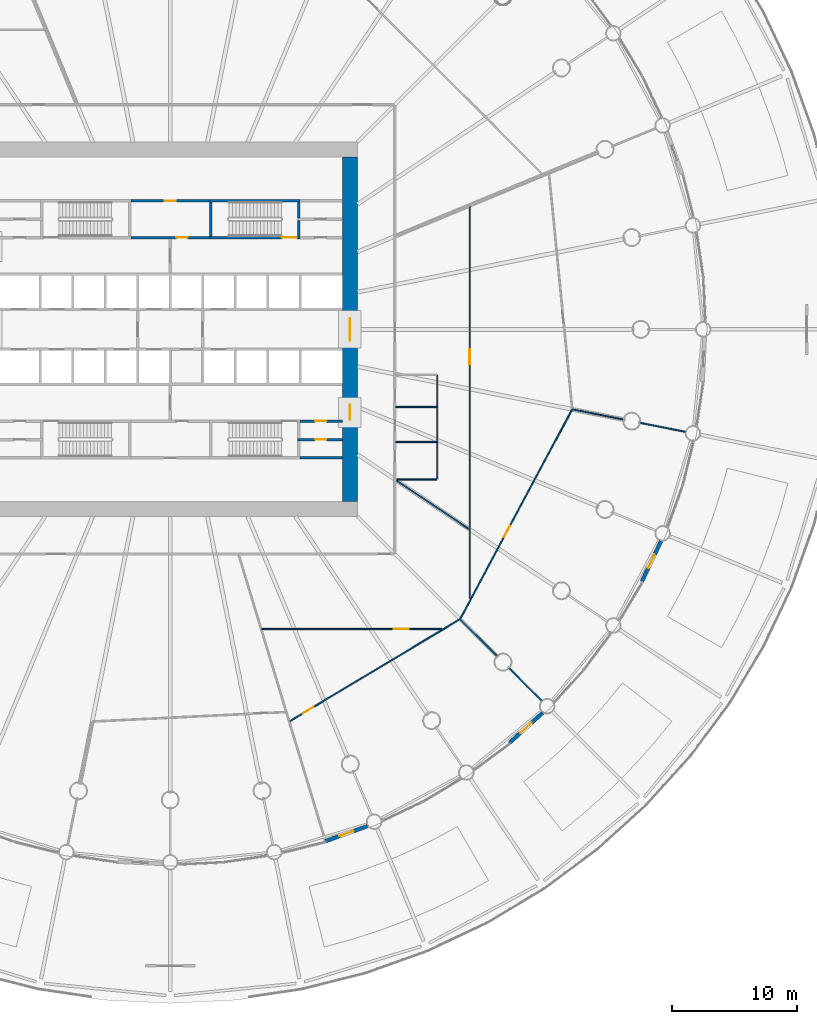
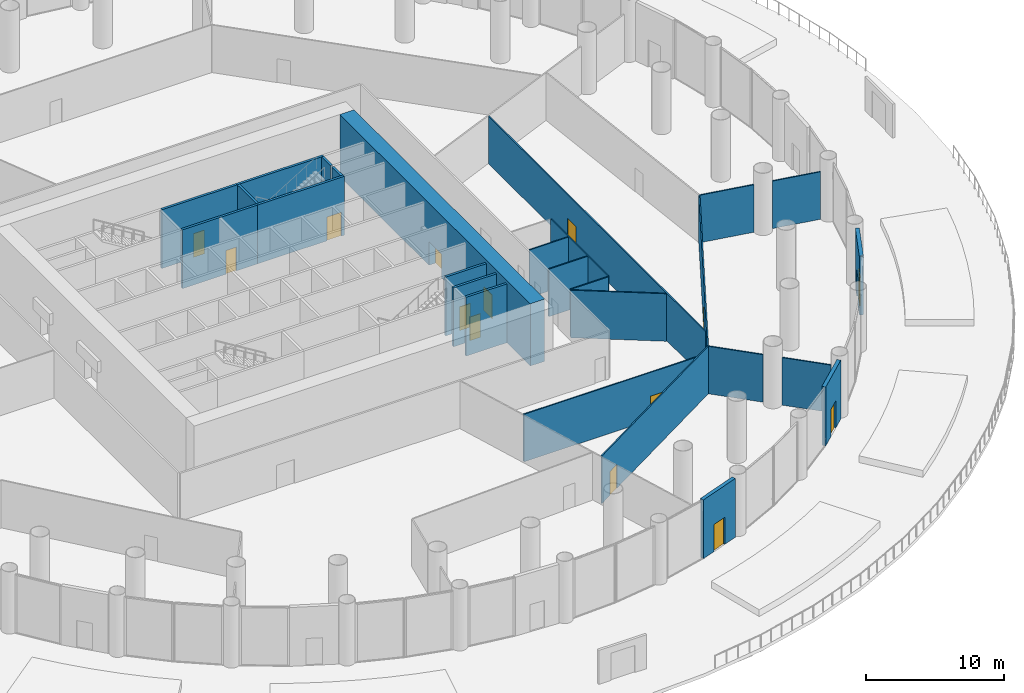
# One storey, part 30 of 36: 27 walls, 14 doors, 14 openings.
"""IFC4 building model written with IfcOpenShell, lengths in metres."""

from ifc_helpers import new_model, si_unit, direction, frame, frame_2d, origin, place, context, subcontext, project, spatial, polyline, rectangle, outline, extrude, material, layer, layer_set, type_object, element, fill, save


model = new_model("IFC4")

# Units and contexts
model_context = context("Model", 3, precision=1e-05, world=origin(), true_north=direction((0.0, 1.0)))
body_context = subcontext(model_context, "Body", "Model", "MODEL_VIEW")
ifc_project = project(units=[si_unit("LENGTHUNIT", "METRE"), si_unit("AREAUNIT", "SQUARE_METRE"), si_unit("VOLUMEUNIT", "CUBIC_METRE"), si_unit("PLANEANGLEUNIT", "RADIAN"), si_unit("MASSUNIT", "GRAM", prefix="KILO")], contexts=[model_context])

# Site, building, storey
site_placement = place(None, origin())
site = spatial("IfcSite", under=ifc_project, at=site_placement, CompositionType="ELEMENT")
building_placement = place(site_placement, origin())
building = spatial("IfcBuilding", under=site, at=building_placement, Name="Corvane Civic Tower", CompositionType="ELEMENT")
storey_placement = place(building_placement, frame((0.0, 0.0, 6.0)))
storey = spatial("IfcBuildingStorey", under=building, at=storey_placement, Name="L01", CompositionType="ELEMENT", Elevation=6.0)

# Wall, openings, doors
ifc_material_1 = material(Name="Concrete C80/95", Category="concrete")
ifc_layer_1 = layer(ifc_material_1, 1.199951171875)
ifc_layer_set_1 = layer_set([ifc_layer_1], Name="Concrete C80/95")
wall_type_1 = type_object("IfcWallType", Name="CORE WALL 1200 C80/95", PredefinedType="SHEAR", material=ifc_layer_set_1)
wall_1_placement = place(storey_placement, frame((14.39990234375, -13.800048828125, 0.0), z_axis=(0.0, 0.0, 1.0), x_axis=(0.0, 1.0, 0.0)))
wall_1 = element("IfcWall", 1, at=wall_1_placement, inside=storey, type_object=wall_type_1, Name="W-L01-core-E", PredefinedType="SHEAR", context=body_context, shape_type="SweptSolid", body=[
    extrude(rectangle(XDim=27.60009765625, YDim=1.199951171875, at=frame_2d((13.800048828125, 0.0))), origin(), (0.0, 0.0, 1.0), 5.5),
])
opening_1_placement = place(wall_1_placement, frame((12.89990234375, 0.0, 0.0)))
opening_1 = element("IfcOpeningElement", 2, at=opening_1_placement, cuts=wall_1, Name="Opening L01.C23", PredefinedType="OPENING", context=body_context, shape_type="SweptSolid", body=[
    extrude(rectangle(XDim=1.800048828125, YDim=2.10009765625, at=frame_2d((0.89990234375, 1.050048828125))), frame((0.0, 0.60986328125, 0.0), z_axis=(0.0, -1.0, 0.0), x_axis=(1.0, 0.0, 0.0)), (0.0, 0.0, 1.0), 1.219970703125),
])
opening_2_placement = place(wall_1_placement, frame((6.550048828125, 0.0, 0.0)))
opening_2 = element("IfcOpeningElement", 3, at=opening_2_placement, cuts=wall_1, Name="Opening L01.C25", PredefinedType="OPENING", context=body_context, shape_type="SweptSolid", body=[
    extrude(rectangle(XDim=1.199951171875, YDim=2.10009765625, at=frame_2d((0.60009765625, 1.050048828125))), frame((0.0, 0.60986328125, 0.0), z_axis=(0.0, -1.0, 0.0), x_axis=(1.0, 0.0, 0.0)), (0.0, 0.0, 1.0), 1.219970703125),
])
ifc_material_2 = material(Name="Steel fire door leaf", Category="steel")
door_type_1 = type_object("IfcDoorType", Name="CR-DOOR-CORE-1800", OperationType="DOUBLE_DOOR_SINGLE_SWING", PredefinedType="DOOR", material=ifc_material_2)
door_1_placement = place(opening_1_placement, origin())
door_1 = element("IfcDoor", 4, at=door_1_placement, inside=storey, type_object=door_type_1, Name="L01 door", OperationType="DOUBLE_DOOR_SINGLE_SWING", OverallHeight=2.10009765625, OverallWidth=1.800048828125, PredefinedType="DOOR", context=body_context, shape_type="SweptSolid", body=[
    extrude(rectangle(XDim=1.800048828125, YDim=2.10009765625, at=frame_2d((0.89990234375, 1.050048828125))), frame((0.0, 0.02490234375, 0.0), z_axis=(0.0, -1.0, 0.0), x_axis=(1.0, 0.0, 0.0)), (0.0, 0.0, 1.0), 0.050048828125),
])
fill(opening_1, door_1)
door_2_placement = place(opening_2_placement, origin())
door_2 = element("IfcDoor", 5, at=door_2_placement, inside=storey, type_object=door_type_1, Name="L01 door", OperationType="DOUBLE_DOOR_SINGLE_SWING", OverallHeight=2.10009765625, OverallWidth=1.199951171875, PredefinedType="DOOR", context=body_context, shape_type="SweptSolid", body=[
    extrude(rectangle(XDim=1.199951171875, YDim=2.10009765625, at=frame_2d((0.60009765625, 1.050048828125))), frame((0.0, 0.02490234375, 0.0), z_axis=(0.0, -1.0, 0.0), x_axis=(1.0, 0.0, 0.0)), (0.0, 0.0, 1.0), 0.050048828125),
])
fill(opening_2, door_2)

# Wall, opening, door
ifc_material_3 = material(Name="Concrete C30/37", Category="concrete")
ifc_layer_2 = layer(ifc_material_3, 0.199951171875)
ifc_layer_set_2 = layer_set([ifc_layer_2], Name="Concrete C30/37")
wall_type_2 = type_object("IfcWallType", Name="CR-WALL-200", PredefinedType="PARTITIONING", material=ifc_layer_set_2)
wall_2_placement = place(storey_placement, frame((10.199951171875, -8.824951171875, 0.0), z_axis=(0.0, 0.0, 1.0), x_axis=(1.0, 0.0, 0.0)))
wall_2 = element("IfcWall", 6, at=wall_2_placement, inside=storey, type_object=wall_type_2, Name="L01 partition wall", PredefinedType="PARTITIONING", context=body_context, shape_type="SweptSolid", body=[
    extrude(rectangle(XDim=3.60009765625, YDim=0.199951171875, at=frame_2d((1.800048828125, 0.0))), origin(), (0.0, 0.0, 1.0), 5.199951171875),
])
opening_3_placement = place(wall_2_placement, frame((1.39990234375, 0.0, 0.0)))
opening_3 = element("IfcOpeningElement", 7, at=opening_3_placement, cuts=wall_2, Name="Opening L01.C13", PredefinedType="OPENING", context=body_context, shape_type="SweptSolid", body=[
    extrude(rectangle(XDim=0.89990234375, YDim=2.10009765625, at=frame_2d((0.449951171875, 1.050048828125))), frame((0.0, 0.10986328125, 0.0), z_axis=(0.0, -1.0, 0.0), x_axis=(1.0, 0.0, 0.0)), (0.0, 0.0, 1.0), 0.219970703125),
])
ifc_material_4 = material(Name="Steel fire door leaf", Category="steel")
door_type_2 = type_object("IfcDoorType", Name="CR-DOOR-900", OperationType="SINGLE_SWING_LEFT", PredefinedType="DOOR", material=ifc_material_4)
door_3_placement = place(opening_3_placement, origin())
door_3 = element("IfcDoor", 8, at=door_3_placement, inside=storey, type_object=door_type_2, Name="L01 door", OperationType="SINGLE_SWING_LEFT", OverallHeight=2.10009765625, OverallWidth=0.89990234375, PredefinedType="DOOR", context=body_context, shape_type="SweptSolid", body=[
    extrude(rectangle(XDim=0.89990234375, YDim=2.10009765625, at=frame_2d((0.449951171875, 1.050048828125))), frame((0.0, 0.02490234375, 0.0), z_axis=(0.0, -1.0, 0.0), x_axis=(1.0, 0.0, 0.0)), (0.0, 0.0, 1.0), 0.050048828125),
])
fill(opening_3, door_3)

wall_3_placement = place(storey_placement, frame((10.39990234375, -7.35009765625, 0.0), z_axis=(0.0, 0.0, 1.0), x_axis=(1.0, 0.0, 0.0)))
wall_3 = element("IfcWall", 9, at=wall_3_placement, inside=storey, type_object=wall_type_2, Name="L01 core partition wall", PredefinedType="PARTITIONING", context=body_context, shape_type="SweptSolid", body=[
    extrude(rectangle(XDim=3.400146484375, YDim=0.199951171875, at=frame_2d((1.7001953125, 0.0))), origin(), (0.0, 0.0, 1.0), 5.199951171875),
])
opening_4_placement = place(wall_3_placement, frame((1.199951171875, 0.0, 0.0)))
opening_4 = element("IfcOpeningElement", 10, at=opening_4_placement, cuts=wall_3, Name="Opening L01.C12", PredefinedType="OPENING", context=body_context, shape_type="SweptSolid", body=[
    extrude(rectangle(XDim=0.89990234375, YDim=2.10009765625, at=frame_2d((0.449951171875, 1.050048828125))), frame((0.0, 0.10986328125, 0.0), z_axis=(0.0, -1.0, 0.0), x_axis=(1.0, 0.0, 0.0)), (0.0, 0.0, 1.0), 0.219970703125),
])
door_4_placement = place(opening_4_placement, origin())
door_4 = element("IfcDoor", 11, at=door_4_placement, inside=storey, type_object=door_type_2, Name="L01 door", OperationType="SINGLE_SWING_LEFT", OverallHeight=2.10009765625, OverallWidth=0.89990234375, PredefinedType="DOOR", context=body_context, shape_type="SweptSolid", body=[
    extrude(rectangle(XDim=0.89990234375, YDim=2.10009765625, at=frame_2d((0.449951171875, 1.050048828125))), frame((0.0, 0.02490234375, 0.0), z_axis=(0.0, -1.0, 0.0), x_axis=(1.0, 0.0, 0.0)), (0.0, 0.0, 1.0), 0.050048828125),
])
fill(opening_4, door_4)

wall_4_placement = place(storey_placement, frame((-3.14990234375, 7.35009765625, 0.0), z_axis=(0.0, 0.0, 1.0), x_axis=(1.0, 0.0, 0.0)))
wall_4 = element("IfcWall", 12, at=wall_4_placement, inside=storey, type_object=wall_type_2, Name="L01 partition wall", PredefinedType="PARTITIONING", context=body_context, shape_type="SweptSolid", body=[
    extrude(rectangle(XDim=6.2998046875, YDim=0.199951171875, at=frame_2d((3.14990234375, 0.0))), origin(), (0.0, 0.0, 1.0), 5.199951171875),
])
opening_5_placement = place(wall_4_placement, frame((3.64990234375, 0.0, 0.0)))
opening_5 = element("IfcOpeningElement", 13, at=opening_5_placement, cuts=wall_4, Name="Opening L01.C02", PredefinedType="OPENING", context=body_context, shape_type="SweptSolid", body=[
    extrude(rectangle(XDim=0.89990234375, YDim=2.10009765625, at=frame_2d((0.449951171875, 1.050048828125))), frame((0.0, 0.10986328125, 0.0), z_axis=(0.0, -1.0, 0.0), x_axis=(1.0, 0.0, 0.0)), (0.0, 0.0, 1.0), 0.219970703125),
])
door_5_placement = place(opening_5_placement, origin())
door_5 = element("IfcDoor", 14, at=door_5_placement, inside=storey, type_object=door_type_2, Name="L01 door", OperationType="SINGLE_SWING_LEFT", OverallHeight=2.10009765625, OverallWidth=0.89990234375, PredefinedType="DOOR", context=body_context, shape_type="SweptSolid", body=[
    extrude(rectangle(XDim=0.89990234375, YDim=2.10009765625, at=frame_2d((0.449951171875, 1.050048828125))), frame((0.0, 0.02490234375, 0.0), z_axis=(0.0, -1.0, 0.0), x_axis=(1.0, 0.0, 0.0)), (0.0, 0.0, 1.0), 0.050048828125),
])
fill(opening_5, door_5)

wall_5_placement = place(storey_placement, frame((-3.14990234375, 10.300048828125, 0.0), z_axis=(0.0, 0.0, 1.0), x_axis=(1.0, 0.0, 0.0)))
wall_5 = element("IfcWall", 15, at=wall_5_placement, inside=storey, type_object=wall_type_2, Name="L01 partition wall", PredefinedType="PARTITIONING", context=body_context, shape_type="SweptSolid", body=[
    extrude(rectangle(XDim=6.2998046875, YDim=0.199951171875, at=frame_2d((3.14990234375, 0.0))), origin(), (0.0, 0.0, 1.0), 5.199951171875),
])
opening_6_placement = place(wall_5_placement, frame((2.699951171875, 0.0, 0.0)))
opening_6 = element("IfcOpeningElement", 16, at=opening_6_placement, cuts=wall_5, Name="Opening L01.C04", PredefinedType="OPENING", context=body_context, shape_type="SweptSolid", body=[
    extrude(rectangle(XDim=0.89990234375, YDim=2.10009765625, at=frame_2d((0.449951171875, 1.050048828125))), frame((0.0, 0.10986328125, 0.0), z_axis=(0.0, -1.0, 0.0), x_axis=(1.0, 0.0, 0.0)), (0.0, 0.0, 1.0), 0.219970703125),
])
door_6_placement = place(opening_6_placement, origin())
door_6 = element("IfcDoor", 17, at=door_6_placement, inside=storey, type_object=door_type_2, Name="L01 door", OperationType="SINGLE_SWING_LEFT", OverallHeight=2.10009765625, OverallWidth=0.89990234375, PredefinedType="DOOR", context=body_context, shape_type="SweptSolid", body=[
    extrude(rectangle(XDim=0.89990234375, YDim=2.10009765625, at=frame_2d((0.449951171875, 1.050048828125))), frame((0.0, 0.02490234375, 0.0), z_axis=(0.0, -1.0, 0.0), x_axis=(1.0, 0.0, 0.0)), (0.0, 0.0, 1.0), 0.050048828125),
])
fill(opening_6, door_6)

# Wall
wall_6_placement = place(storey_placement, origin())
element("IfcWall", 18, at=wall_6_placement, inside=storey, type_object=wall_type_2, Name="L01 core partition wall", PredefinedType="PARTITIONING", context=body_context, shape_type="SweptSolid", body=[
    extrude(outline(polyline([(13.800048828125, -10.39990234375), (10.39990234375, -10.39990234375), (10.39990234375, -10.199951171875), (13.800048828125, -10.199951171875), (13.800048828125, -10.39990234375)])), origin(), (0.0, 0.0, 1.0), 5.199951171875),
])

# Wall, opening, door
ifc_material_5 = material(Name="Terracotta cladding", Category="masonry")
ifc_layer_3 = layer(ifc_material_5, 0.300048828125)
ifc_layer_set_3 = layer_set([ifc_layer_3], Name="Terracotta cladding")
wall_type_3 = type_object("IfcWallType", Name="PODIUM-W-DRUMDOOR-300", PredefinedType="SOLIDWALL", material=ifc_layer_set_3)
wall_7_placement = place(storey_placement, frame((39.317626953125, -16.9697265625, 0.0), z_axis=(0.0, 0.0, 1.0), x_axis=(-0.427546758778, -0.903993235074, 0.0)))
wall_7 = element("IfcWall", 19, at=wall_7_placement, inside=storey, type_object=wall_type_3, Name="L01 drum door bay wall 11", PredefinedType="SOLIDWALL", context=body_context, shape_type="SweptSolid", body=[
    extrude(rectangle(XDim=3.559814453125, YDim=0.300048828125, at=frame_2d((1.77978515625, 0.0))), origin(), (0.0, 0.0, 1.0), 5.199951171875),
])
opening_7_placement = place(wall_7_placement, frame((1.179931640625, 0.0, 0.0)))
opening_7 = element("IfcOpeningElement", 20, at=opening_7_placement, cuts=wall_7, Name="Opening ED-L01-11", PredefinedType="OPENING", context=body_context, shape_type="SweptSolid", body=[
    extrude(rectangle(XDim=1.199951171875, YDim=2.39990234375, at=frame_2d((0.60009765625, 1.199951171875))), frame((0.0, 0.159912109375, 0.0), z_axis=(0.0, -1.0, 0.0), x_axis=(1.0, 0.0, 0.0)), (0.0, 0.0, 1.0), 0.320068359375),
])
ifc_material_6 = material(Name="Anodised aluminium and glass", Category="aluminium")
door_type_3 = type_object("IfcDoorType", Name="PODIUM-D-BALCONY-1200", OperationType="SINGLE_SWING_LEFT", PredefinedType="DOOR", material=ifc_material_6)
door_7_placement = place(opening_7_placement, origin())
door_7 = element("IfcDoor", 21, at=door_7_placement, inside=storey, type_object=door_type_3, Name="L01 balcony door 11", OperationType="SINGLE_SWING_LEFT", OverallHeight=2.39990234375, OverallWidth=1.199951171875, PredefinedType="DOOR", context=body_context, shape_type="SweptSolid", body=[
    extrude(rectangle(XDim=1.199951171875, YDim=2.39990234375, at=frame_2d((0.60009765625, 1.199951171875))), frame((0.0, 0.02490234375, 0.0), z_axis=(0.0, -1.0, 0.0), x_axis=(1.0, 0.0, 0.0)), (0.0, 0.0, 1.0), 0.050048828125),
])
fill(opening_7, door_7)

wall_8_placement = place(storey_placement, frame((29.83056640625, -30.72412109375, 0.0), z_axis=(0.0, 0.0, 1.0), x_axis=(-0.740922965913, -0.671590022694, 0.0)))
wall_8 = element("IfcWall", 22, at=wall_8_placement, inside=storey, type_object=wall_type_3, Name="L01 drum door bay wall 13", PredefinedType="SOLIDWALL", context=body_context, shape_type="SweptSolid", body=[
    extrude(rectangle(XDim=3.56005859375, YDim=0.300048828125, at=frame_2d((1.780029296875, 0.0))), origin(), (0.0, 0.0, 1.0), 5.199951171875),
])
opening_8_placement = place(wall_8_placement, frame((1.179931640625, 0.0, 0.0)))
opening_8 = element("IfcOpeningElement", 23, at=opening_8_placement, cuts=wall_8, Name="Opening ED-L01-13", PredefinedType="OPENING", context=body_context, shape_type="SweptSolid", body=[
    extrude(rectangle(XDim=1.199951171875, YDim=2.39990234375, at=frame_2d((0.60009765625, 1.199951171875))), frame((0.0, 0.159912109375, 0.0), z_axis=(0.0, -1.0, 0.0), x_axis=(1.0, 0.0, 0.0)), (0.0, 0.0, 1.0), 0.320068359375),
])
door_8_placement = place(opening_8_placement, origin())
door_8 = element("IfcDoor", 24, at=door_8_placement, inside=storey, type_object=door_type_3, Name="L01 balcony door 13", OperationType="SINGLE_SWING_LEFT", OverallHeight=2.39990234375, OverallWidth=1.199951171875, PredefinedType="DOOR", context=body_context, shape_type="SweptSolid", body=[
    extrude(rectangle(XDim=1.199951171875, YDim=2.39990234375, at=frame_2d((0.60009765625, 1.199951171875))), frame((0.0, 0.02490234375, 0.0), z_axis=(0.0, -1.0, 0.0), x_axis=(1.0, 0.0, 0.0)), (0.0, 0.0, 1.0), 0.050048828125),
])
fill(opening_8, door_8)

wall_9_placement = place(storey_placement, frame((15.80224609375, -39.80126953125, 0.0), z_axis=(0.0, 0.0, 1.0), x_axis=(-0.941550911926, -0.336870717414, 0.0)))
wall_9 = element("IfcWall", 25, at=wall_9_placement, inside=storey, type_object=wall_type_3, Name="L01 drum door bay wall 15", PredefinedType="SOLIDWALL", context=body_context, shape_type="SweptSolid", body=[
    extrude(rectangle(XDim=3.559814453125, YDim=0.300048828125, at=frame_2d((1.77978515625, 0.0))), origin(), (0.0, 0.0, 1.0), 5.199951171875),
])
opening_9_placement = place(wall_9_placement, frame((1.179931640625, 0.0, 0.0)))
opening_9 = element("IfcOpeningElement", 26, at=opening_9_placement, cuts=wall_9, Name="Opening ED-L01-15", PredefinedType="OPENING", context=body_context, shape_type="SweptSolid", body=[
    extrude(rectangle(XDim=1.199951171875, YDim=2.39990234375, at=frame_2d((0.60009765625, 1.199951171875))), frame((0.0, 0.159912109375, 0.0), z_axis=(0.0, -1.0, 0.0), x_axis=(1.0, 0.0, 0.0)), (0.0, 0.0, 1.0), 0.320068359375),
])
door_9_placement = place(opening_9_placement, origin())
door_9 = element("IfcDoor", 27, at=door_9_placement, inside=storey, type_object=door_type_3, Name="L01 balcony door 15", OperationType="SINGLE_SWING_LEFT", OverallHeight=2.39990234375, OverallWidth=1.199951171875, PredefinedType="DOOR", context=body_context, shape_type="SweptSolid", body=[
    extrude(rectangle(XDim=1.199951171875, YDim=2.39990234375, at=frame_2d((0.60009765625, 1.199951171875))), frame((0.0, 0.02490234375, 0.0), z_axis=(0.0, -1.0, 0.0), x_axis=(1.0, 0.0, 0.0)), (0.0, 0.0, 1.0), 0.050048828125),
])
fill(opening_9, door_9)

ifc_material_7 = material(Name="Plasterboard")
ifc_layer_4 = layer(ifc_material_7, 0.10009765625)
ifc_layer_set_4 = layer_set([ifc_layer_4], Name="Plasterboard")
wall_type_4 = type_object("IfcWallType", Name="Partition 100 plasterboard on studs", PredefinedType="PARTITIONING", material=ifc_layer_set_4)
wall_10_placement = place(storey_placement, frame((9.58740234375, -31.39111328125, 0.0), z_axis=(0.0, 0.0, 1.0), x_axis=(0.857725173911, 0.514108476919, 0.0)))
wall_10 = element("IfcWall", 28, at=wall_10_placement, inside=storey, type_object=wall_type_4, Name="Partition L01.006", PredefinedType="PARTITIONING", context=body_context, shape_type="SweptSolid", body=[
    extrude(rectangle(XDim=15.85498046875, YDim=0.10009765625, at=frame_2d((7.927490234375, 0.0))), origin(), (0.0, 0.0, 1.0), 4.199951171875),
])
opening_10_placement = place(wall_10_placement, frame((1.224609375, 0.0, 0.0)))
opening_10 = element("IfcOpeningElement", 29, at=opening_10_placement, cuts=wall_10, Name="Opening L01.003", PredefinedType="OPENING", context=body_context, shape_type="SweptSolid", body=[
    extrude(rectangle(XDim=1.0, YDim=2.10009765625, at=frame_2d((0.5, 1.050048828125))), frame((0.0, 0.06005859375, 0.0), z_axis=(0.0, -1.0, 0.0), x_axis=(1.0, 0.0, 0.0)), (0.0, 0.0, 1.0), 0.1201171875),
])
ifc_material_8 = material(Name="Timber", Category="wood")
door_type_4 = type_object("IfcDoorType", Name="Single door 1000", OperationType="NOTDEFINED", PredefinedType="DOOR", material=ifc_material_8)
door_10_placement = place(opening_10_placement, frame((1.0, 0.0, 0.0), z_axis=(0.0, 0.0, 1.0), x_axis=(-1.0, 0.0, 0.0)))
door_10 = element("IfcDoor", 30, at=door_10_placement, inside=storey, type_object=door_type_4, Name="Door L01.003", OperationType="SINGLE_SWING_RIGHT", OverallHeight=2.10009765625, OverallWidth=1.0, PredefinedType="DOOR", context=body_context, shape_type="SweptSolid", body=[
    extrude(rectangle(XDim=1.0, YDim=2.10009765625, at=frame_2d((0.5, 1.050048828125))), frame((0.0, 0.02490234375, 0.0), z_axis=(0.0, -1.0, 0.0), x_axis=(1.0, 0.0, 0.0)), (0.0, 0.0, 1.0), 0.050048828125),
])
fill(opening_10, door_10)

# Walls
wall_11_placement = place(storey_placement, frame((27.159912109375, -27.159912109375, 0.0), z_axis=(0.0, 0.0, 1.0), x_axis=(0.707106781187, -0.707106781187, 0.0)))
element("IfcWall", 31, at=wall_11_placement, inside=storey, type_object=wall_type_4, Name="Partition L01.008", PredefinedType="PARTITIONING", context=body_context, shape_type="SweptSolid", body=[
    extrude(rectangle(XDim=3.679931640625, YDim=0.10009765625, at=frame_2d((1.83984375, 0.0))), origin(), (0.0, 0.0, 1.0), 4.199951171875),
])
wall_12_placement = place(storey_placement, frame((23.24755859375, -23.24755859375, 0.0), z_axis=(0.0, 0.0, 1.0), x_axis=(0.707106781187, -0.707106781187, 0.0)))
element("IfcWall", 32, at=wall_12_placement, inside=storey, type_object=wall_type_4, Name="Partition L01.010", PredefinedType="PARTITIONING", context=body_context, shape_type="SweptSolid", body=[
    extrude(rectangle(XDim=4.11328125, YDim=0.10009765625, at=frame_2d((2.056640625, 0.0))), origin(), (0.0, 0.0, 1.0), 4.199951171875),
])

# Wall, opening, door
wall_13_placement = place(storey_placement, frame((7.34765625, -24.0, 0.0), z_axis=(0.0, 0.0, 1.0), x_axis=(1.0, 0.0, 0.0)))
wall_13 = element("IfcWall", 33, at=wall_13_placement, inside=storey, type_object=wall_type_4, Name="Partition L01.011", PredefinedType="PARTITIONING", context=body_context, shape_type="SweptSolid", body=[
    extrude(rectangle(XDim=14.39013671875, YDim=0.10009765625, at=frame_2d((7.195068359375, 0.0))), origin(), (0.0, 0.0, 1.0), 4.199951171875),
])
opening_11_placement = place(wall_13_placement, frame((10.580078125, 0.0, 0.0)))
opening_11 = element("IfcOpeningElement", 34, at=opening_11_placement, cuts=wall_13, Name="Opening L01.004", PredefinedType="OPENING", context=body_context, shape_type="SweptSolid", body=[
    extrude(rectangle(XDim=1.199951171875, YDim=2.10009765625, at=frame_2d((0.60009765625, 1.050048828125))), frame((0.0, 0.06005859375, 0.0), z_axis=(0.0, -1.0, 0.0), x_axis=(1.0, 0.0, 0.0)), (0.0, 0.0, 1.0), 0.1201171875),
])
ifc_material_9 = material(Name="Timber", Category="wood")
door_type_5 = type_object("IfcDoorType", Name="Double door 1200", OperationType="NOTDEFINED", PredefinedType="DOOR", material=ifc_material_9)
door_11_placement = place(opening_11_placement, frame((1.199951171875, 0.0, 0.0), z_axis=(0.0, 0.0, 1.0), x_axis=(-1.0, 0.0, 0.0)))
door_11 = element("IfcDoor", 35, at=door_11_placement, inside=storey, type_object=door_type_5, Name="Door L01.004", OperationType="DOUBLE_DOOR_SINGLE_SWING", OverallHeight=2.10009765625, OverallWidth=1.199951171875, PredefinedType="DOOR", context=body_context, shape_type="SweptSolid", body=[
    extrude(rectangle(XDim=1.199951171875, YDim=2.10009765625, at=frame_2d((0.60009765625, 1.050048828125))), frame((0.0, 0.02490234375, 0.0), z_axis=(0.0, -1.0, 0.0), x_axis=(1.0, 0.0, 0.0)), (0.0, 0.0, 1.0), 0.050048828125),
])
fill(opening_11, door_11)

wall_14_placement = place(storey_placement, frame((23.2373046875, -23.187255859375, 0.0), z_axis=(0.0, 0.0, 1.0), x_axis=(0.47140209711, 0.881918399196, 0.0)))
wall_14 = element("IfcWall", 36, at=wall_14_placement, inside=storey, type_object=wall_type_4, Name="Partition L01.012", PredefinedType="PARTITIONING", context=body_context, shape_type="SweptSolid", body=[
    extrude(rectangle(XDim=18.990478515625, YDim=0.10009765625, at=frame_2d((9.4951171875, 0.0))), origin(), (0.0, 0.0, 1.0), 4.199951171875),
])
opening_12_placement = place(wall_14_placement, frame((7.419677734375, 0.0, 0.0)))
opening_12 = element("IfcOpeningElement", 37, at=opening_12_placement, cuts=wall_14, Name="Opening L01.002", PredefinedType="OPENING", context=body_context, shape_type="SweptSolid", body=[
    extrude(rectangle(XDim=1.0, YDim=2.10009765625, at=frame_2d((0.5, 1.050048828125))), frame((0.0, 0.06005859375, 0.0), z_axis=(0.0, -1.0, 0.0), x_axis=(1.0, 0.0, 0.0)), (0.0, 0.0, 1.0), 0.1201171875),
])
door_12_placement = place(opening_12_placement, frame((1.0, 0.0, 0.0), z_axis=(0.0, 0.0, 1.0), x_axis=(-1.0, 0.0, 0.0)))
door_12 = element("IfcDoor", 38, at=door_12_placement, inside=storey, type_object=door_type_4, Name="Door L01.002", OperationType="SINGLE_SWING_LEFT", OverallHeight=2.10009765625, OverallWidth=1.0, PredefinedType="DOOR", context=body_context, shape_type="SweptSolid", body=[
    extrude(rectangle(XDim=1.0, YDim=2.10009765625, at=frame_2d((0.5, 1.050048828125))), frame((0.0, 0.02490234375, 0.0), z_axis=(0.0, -1.0, 0.0), x_axis=(1.0, 0.0, 0.0)), (0.0, 0.0, 1.0), 0.050048828125),
])
fill(opening_12, door_12)

wall_15_placement = place(storey_placement, frame((24.0, -21.56103515625, 0.0), z_axis=(0.0, 0.0, 1.0), x_axis=(0.0, 1.0, 0.0)))
wall_15 = element("IfcWall", 39, at=wall_15_placement, inside=storey, type_object=wall_type_4, Name="Partition L01.013", PredefinedType="PARTITIONING", context=body_context, shape_type="SweptSolid", body=[
    extrude(rectangle(XDim=31.42724609375, YDim=0.10009765625, at=frame_2d((15.713623046875, 0.0))), origin(), (0.0, 0.0, 1.0), 4.199951171875),
])
opening_13_placement = place(wall_15_placement, frame((18.759521484375, 0.0, 0.0)))
opening_13 = element("IfcOpeningElement", 40, at=opening_13_placement, cuts=wall_15, Name="Opening L01.005", PredefinedType="OPENING", context=body_context, shape_type="SweptSolid", body=[
    extrude(rectangle(XDim=1.199951171875, YDim=2.10009765625, at=frame_2d((0.60009765625, 1.050048828125))), frame((0.0, 0.06005859375, 0.0), z_axis=(0.0, -1.0, 0.0), x_axis=(1.0, 0.0, 0.0)), (0.0, 0.0, 1.0), 0.1201171875),
])
door_13_placement = place(opening_13_placement, frame((1.199951171875, 0.0, 0.0), z_axis=(0.0, 0.0, 1.0), x_axis=(-1.0, 0.0, 0.0)))
door_13 = element("IfcDoor", 41, at=door_13_placement, inside=storey, type_object=door_type_5, Name="Door L01.005", OperationType="DOUBLE_DOOR_SINGLE_SWING", OverallHeight=2.10009765625, OverallWidth=1.199951171875, PredefinedType="DOOR", context=body_context, shape_type="SweptSolid", body=[
    extrude(rectangle(XDim=1.199951171875, YDim=2.10009765625, at=frame_2d((0.60009765625, 1.050048828125))), frame((0.0, 0.02490234375, 0.0), z_axis=(0.0, -1.0, 0.0), x_axis=(1.0, 0.0, 0.0)), (0.0, 0.0, 1.0), 0.050048828125),
])
fill(opening_13, door_13)

# Walls
wall_16_placement = place(storey_placement, frame((18.136962890625, -12.118896484375, 0.0), z_axis=(0.0, 0.0, 1.0), x_axis=(0.83147222202, -0.555566327281, 0.0)))
element("IfcWall", 42, at=wall_16_placement, inside=storey, type_object=wall_type_4, Name="Partition L01.018", PredefinedType="PARTITIONING", context=body_context, shape_type="SweptSolid", body=[
    extrude(rectangle(XDim=6.957763671875, YDim=0.10009765625, at=frame_2d((3.47900390625, 0.0))), origin(), (0.0, 0.0, 1.0), 4.199951171875),
])
wall_17_placement = place(storey_placement, frame((18.164794921875, -12.027099609375, 0.0), z_axis=(0.0, 0.0, 1.0), x_axis=(1.0, 0.0, 0.0)))
element("IfcWall", 43, at=wall_17_placement, inside=storey, type_object=wall_type_4, Name="Partition L01.020", PredefinedType="PARTITIONING", context=body_context, shape_type="SweptSolid", body=[
    extrude(rectangle(XDim=3.185302734375, YDim=0.10009765625, at=frame_2d((1.5927734375, 0.0))), origin(), (0.0, 0.0, 1.0), 4.199951171875),
])
wall_18_placement = place(storey_placement, frame((21.39990234375, -11.977294921875, 0.0), z_axis=(0.0, 0.0, 1.0), x_axis=(0.0, 1.0, 0.0)))
element("IfcWall", 44, at=wall_18_placement, inside=storey, type_object=wall_type_4, Name="Partition L01.021", PredefinedType="PARTITIONING", context=body_context, shape_type="SweptSolid", body=[
    extrude(rectangle(XDim=8.300048828125, YDim=0.10009765625, at=frame_2d((4.14990234375, 0.0))), origin(), (0.0, 0.0, 1.0), 4.199951171875),
])
wall_19_placement = place(storey_placement, frame((18.074951171875, -9.027099609375, 0.0), z_axis=(0.0, 0.0, 1.0), x_axis=(1.0, 0.0, 0.0)))
element("IfcWall", 45, at=wall_19_placement, inside=storey, type_object=wall_type_4, Name="Partition L01.022", PredefinedType="PARTITIONING", context=body_context, shape_type="SweptSolid", body=[
    extrude(rectangle(XDim=3.275146484375, YDim=0.10009765625, at=frame_2d((1.6376953125, 0.0))), origin(), (0.0, 0.0, 1.0), 4.199951171875),
])
wall_20_placement = place(storey_placement, frame((37.671875, -7.493408203125, 0.0), z_axis=(0.0, 0.0, 1.0), x_axis=(0.980784256727, -0.195095468315, 0.0)))
element("IfcWall", 46, at=wall_20_placement, inside=storey, type_object=wall_type_4, Name="Partition L01.023", PredefinedType="PARTITIONING", context=body_context, shape_type="SweptSolid", body=[
    extrude(rectangle(XDim=3.680419921875, YDim=0.10009765625, at=frame_2d((1.84033203125, 0.0))), origin(), (0.0, 0.0, 1.0), 4.199951171875),
])
wall_21_placement = place(storey_placement, frame((32.243408203125, -6.41357421875, 0.0), z_axis=(0.0, 0.0, 1.0), x_axis=(0.980787781757, -0.195077746441, 0.0)))
element("IfcWall", 47, at=wall_21_placement, inside=storey, type_object=wall_type_4, Name="Partition L01.024", PredefinedType="PARTITIONING", context=body_context, shape_type="SweptSolid", body=[
    extrude(rectangle(XDim=4.114990234375, YDim=0.10009765625, at=frame_2d((2.0576171875, 0.0))), origin(), (0.0, 0.0, 1.0), 4.199951171875),
])
wall_22_placement = place(storey_placement, frame((18.074951171875, -6.227294921875, 0.0), z_axis=(0.0, 0.0, 1.0), x_axis=(1.0, 0.0, 0.0)))
element("IfcWall", 48, at=wall_22_placement, inside=storey, type_object=wall_type_4, Name="Partition L01.026", PredefinedType="PARTITIONING", context=body_context, shape_type="SweptSolid", body=[
    extrude(rectangle(XDim=3.275146484375, YDim=0.10009765625, at=frame_2d((1.6376953125, 0.0))), origin(), (0.0, 0.0, 1.0), 4.199951171875),
])

# Wall, opening, door
ifc_material_10 = material(Name="Concrete C50/60", Category="concrete")
ifc_layer_5 = layer(ifc_material_10, 0.199951171875)
ifc_layer_set_5 = layer_set([ifc_layer_5], Name="Concrete C50/60")
wall_type_5 = type_object("IfcWallType", Name="ST-WALL-200", PredefinedType="SHEAR", material=ifc_layer_set_5)
wall_23_placement = place(storey_placement, frame((3.14990234375, 7.35009765625, 0.0), z_axis=(0.0, 0.0, 1.0), x_axis=(1.0, 0.0, 0.0)))
wall_23 = element("IfcWall", 49, at=wall_23_placement, inside=storey, type_object=wall_type_5, Name="L01 stair enclosure wall", PredefinedType="SHEAR", context=body_context, shape_type="SweptSolid", body=[
    extrude(rectangle(XDim=7.25, YDim=0.199951171875, at=frame_2d((3.625, 0.0))), origin(), (0.0, 0.0, 1.0), 5.199951171875),
])
opening_14_placement = place(wall_23_placement, frame((5.800048828125, 0.0, 0.0)))
opening_14 = element("IfcOpeningElement", 50, at=opening_14_placement, cuts=wall_23, Name="Opening L01.C14", PredefinedType="OPENING", context=body_context, shape_type="SweptSolid", body=[
    extrude(rectangle(XDim=1.199951171875, YDim=2.10009765625, at=frame_2d((0.60009765625, 1.050048828125))), frame((0.0, 0.10986328125, 0.0), z_axis=(0.0, -1.0, 0.0), x_axis=(1.0, 0.0, 0.0)), (0.0, 0.0, 1.0), 0.219970703125),
])
ifc_material_11 = material(Name="Steel fire door leaf", Category="steel")
door_type_6 = type_object("IfcDoorType", Name="ST-DOOR-1200", OperationType="SINGLE_SWING_RIGHT", PredefinedType="DOOR", material=ifc_material_11)
door_14_placement = place(opening_14_placement, origin())
door_14 = element("IfcDoor", 51, at=door_14_placement, inside=storey, type_object=door_type_6, Name="L01 stair door", OperationType="SINGLE_SWING_RIGHT", OverallHeight=2.10009765625, OverallWidth=1.199951171875, PredefinedType="DOOR", context=body_context, shape_type="SweptSolid", body=[
    extrude(rectangle(XDim=1.199951171875, YDim=2.10009765625, at=frame_2d((0.60009765625, 1.050048828125))), frame((0.0, 0.02490234375, 0.0), z_axis=(0.0, -1.0, 0.0), x_axis=(1.0, 0.0, 0.0)), (0.0, 0.0, 1.0), 0.050048828125),
])
fill(opening_14, door_14)

# Walls
wall_24_placement = place(storey_placement, origin())
element("IfcWall", 52, at=wall_24_placement, inside=storey, type_object=wall_type_5, Name="L01 stair enclosure wall", PredefinedType="SHEAR", context=body_context, shape_type="SweptSolid", body=[
    extrude(outline(polyline([(10.39990234375, 10.199951171875), (3.14990234375, 10.199951171875), (3.14990234375, 10.39990234375), (10.39990234375, 10.39990234375), (10.39990234375, 10.199951171875)])), origin(), (0.0, 0.0, 1.0), 5.199951171875),
])
wall_25_placement = place(storey_placement, origin())
element("IfcWall", 53, at=wall_25_placement, inside=storey, type_object=wall_type_5, Name="L01 stair enclosure wall", PredefinedType="SHEAR", context=body_context, shape_type="SweptSolid", body=[
    extrude(outline(polyline([(3.35009765625, 7.449951171875), (3.14990234375, 7.449951171875), (3.14990234375, 10.199951171875), (3.35009765625, 10.199951171875), (3.35009765625, 7.449951171875)])), origin(), (0.0, 0.0, 1.0), 5.199951171875),
])
wall_26_placement = place(storey_placement, origin())
element("IfcWall", 54, at=wall_26_placement, inside=storey, type_object=wall_type_5, Name="L01 stair enclosure wall", PredefinedType="SHEAR", context=body_context, shape_type="SweptSolid", body=[
    extrude(outline(polyline([(10.39990234375, 8.72509765625), (10.39990234375, 7.449951171875), (10.199951171875, 7.449951171875), (10.199951171875, 8.72509765625), (10.39990234375, 8.72509765625)])), origin(), (0.0, 0.0, 1.0), 5.199951171875),
])
wall_27_placement = place(storey_placement, origin())
element("IfcWall", 55, at=wall_27_placement, inside=storey, type_object=wall_type_5, Name="L01 stair enclosure wall", PredefinedType="SHEAR", context=body_context, shape_type="SweptSolid", body=[
    extrude(outline(polyline([(10.39990234375, 8.925048828125), (10.199951171875, 8.925048828125), (10.199951171875, 10.199951171875), (10.39990234375, 10.199951171875), (10.39990234375, 8.925048828125)])), origin(), (0.0, 0.0, 1.0), 5.199951171875),
])

save(model, "model.ifc")
